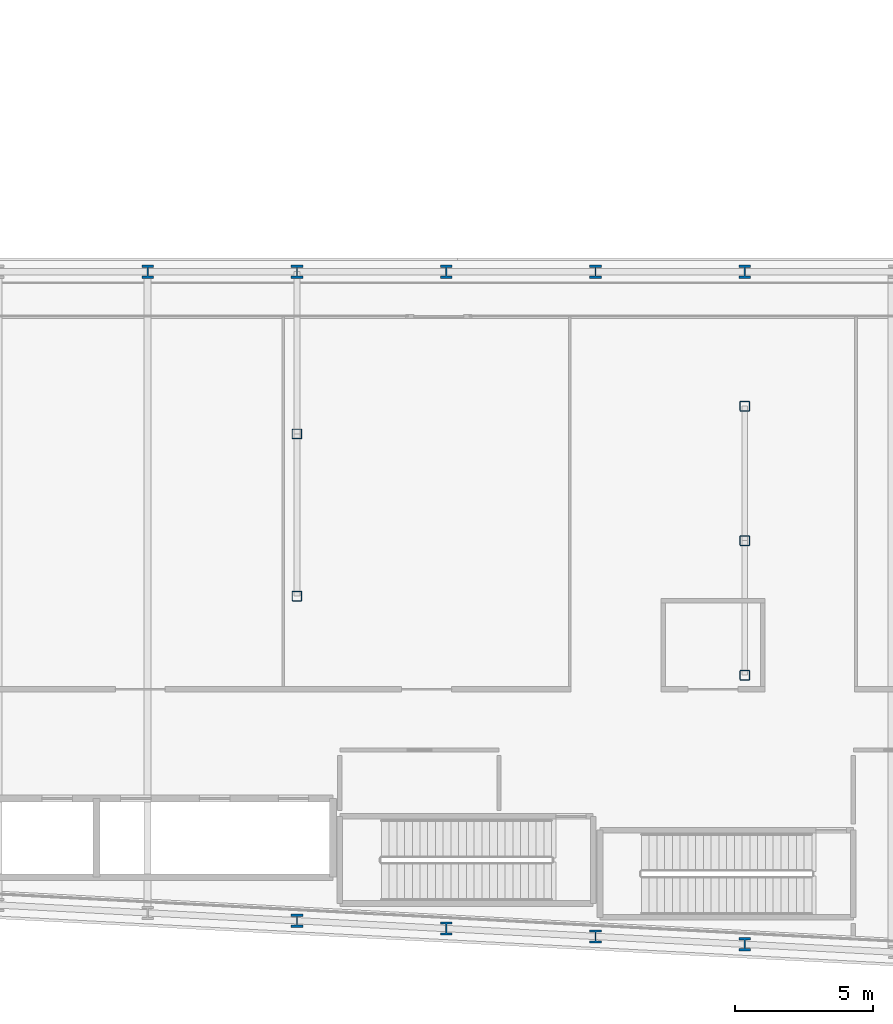
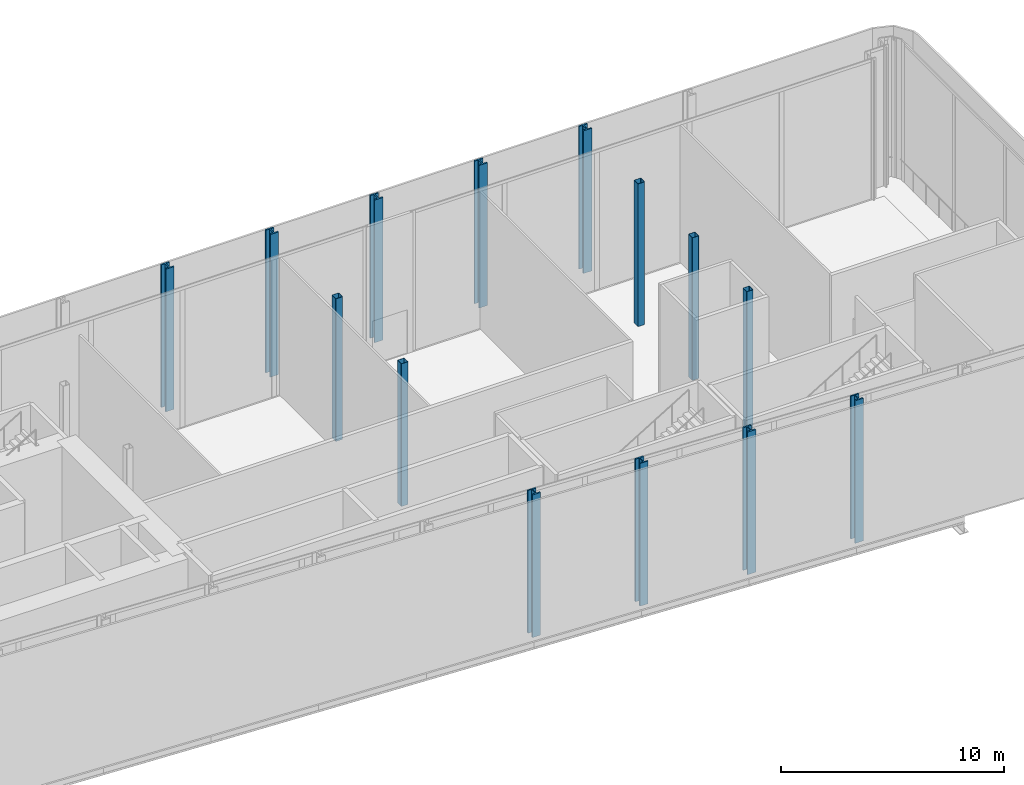
# One storey, part 2 of 36: 14 columns.
"""IFC4 building model written with IfcOpenShell, lengths in metres."""

from ifc_helpers import new_model, si_unit, direction, frame, origin, origin_2d, place, context, subcontext, project, spatial, hollow_rectangle, i_section, extrude, material, material_profile, profile_set, type_object, element, save


model = new_model("IFC4")

# Units and contexts
model_context = context("Model", 3, precision=1e-05, world=origin(), true_north=direction((0.0, 1.0)))
body_context = subcontext(model_context, "Body", "Model", "MODEL_VIEW")
ifc_project = project(units=[si_unit("LENGTHUNIT", "METRE"), si_unit("AREAUNIT", "SQUARE_METRE"), si_unit("VOLUMEUNIT", "CUBIC_METRE"), si_unit("PLANEANGLEUNIT", "RADIAN"), si_unit("MASSUNIT", "GRAM", prefix="KILO")], contexts=[model_context])

# Site, building, storey
site_placement = place(None, origin())
site = spatial("IfcSite", under=ifc_project, at=site_placement, CompositionType="ELEMENT")
building_placement = place(site_placement, origin())
building = spatial("IfcBuilding", under=site, at=building_placement, Name="Kheshtan School and Residences Tower", CompositionType="ELEMENT")
storey_placement = place(building_placement, frame((0.0, 0.0, 81.199951171875)))
storey = spatial("IfcBuildingStorey", under=building, at=storey_placement, Name="L19", CompositionType="ELEMENT", Elevation=81.199951171875)

# Columns
ifc_material_1 = material(Name="Steel ASTM A992 Grade 50", Category="steel")
ifc_material_profile_1 = material_profile(ifc_material_1, i_section(OverallWidth=0.424072265625, OverallDepth=0.47412109375, WebThickness=0.047607421875, FlangeThickness=0.0771484375, FilletRadius=0.01416015625, at=origin_2d()), Name="W360x634")
ifc_profile_set_1 = profile_set([ifc_material_profile_1], Name="Steel ASTM A992 Grade 50")
column_type_1 = type_object("IfcColumnType", Name="Column C1 W360x634 ASTM A992 Grade 50", PredefinedType="COLUMN", material=ifc_profile_set_1)
for number, where, z_axis, x_axis, name in (
    (1, (85.39990234375, 21.27392578125, 0.0), (0.0, 0.0, 1.0), (1.0, 0.0, 0.0), "Column C008"),
    (2, (80.0, 21.55810546875, 0.0), (0.0, 0.0, 1.0), (1.0, 0.0, 0.0), "Column C012"),
    (3, (74.60009765625, 21.843017578125, 0.0), (0.0, 0.0, 1.0), (1.0, 0.0, 0.0), "Column C013"),
    (4, (69.199951171875, 22.126953125, 0.0), (0.0, 0.0, 1.0), (1.0, 0.0, 0.0), "Column C014"),
    (5, (63.800048828125, 45.60009765625, 0.0), (0.0, 0.0, 1.0), (1.0, 0.0, 0.0), "Column C063"),
    (6, (69.199951171875, 45.60009765625, 0.0), (0.0, 0.0, 1.0), (1.0, 0.0, 0.0), "Column C064"),
    (7, (74.60009765625, 45.60009765625, 0.0), (0.0, 0.0, 1.0), (1.0, 0.0, 0.0), "Column C065"),
    (8, (80.0, 45.60009765625, 0.0), (0.0, 0.0, 1.0), (1.0, 0.0, 0.0), "Column C066"),
    (9, (85.39990234375, 45.60009765625, 0.0), (0.0, 0.0, 1.0), (1.0, 0.0, 0.0), "Column C067"),
):
    element("IfcColumn", number, at=place(storey_placement, frame(where, z_axis=z_axis, x_axis=x_axis)), inside=storey, type_object=column_type_1, Name=name, PredefinedType="COLUMN", context=body_context, shape_type="SweptSolid", body=[
        extrude(i_section(OverallWidth=0.424072265625, OverallDepth=0.47412109375, WebThickness=0.047607421875, FlangeThickness=0.0771484375, FilletRadius=0.01416015625, at=origin_2d()), origin(), (0.0, 0.0, 1.0), 7.800048828125),
    ])
ifc_material_2 = material(Name="Steel ASTM A500 Grade C", Category="steel")
ifc_material_profile_2 = material_profile(ifc_material_2, hollow_rectangle(XDim=0.35595703125, YDim=0.35595703125, WallThickness=0.015869140625, InnerFilletRadius=0.015869140625, OuterFilletRadius=0.03173828125, at=origin_2d()), Name="HSS 356x356x15.9")
ifc_profile_set_2 = profile_set([ifc_material_profile_2], Name="Steel ASTM A500 Grade C")
column_type_2 = type_object("IfcColumnType", Name="Column IC1 HSS 356x356x15.9 ASTM A500 Grade C", PredefinedType="COLUMN", material=ifc_profile_set_2)
for number, where, z_axis, x_axis, name in (
    (10, (85.39990234375, 31.0048828125, 0.0), (0.0, 0.0, 1.0), (1.0, 0.0, 0.0), "Column C049"),
    (11, (69.199951171875, 33.863037109375, 0.0), (0.0, 0.0, 1.0), (1.0, 0.0, 0.0), "Column C050"),
    (12, (85.39990234375, 35.8701171875, 0.0), (0.0, 0.0, 1.0), (1.0, 0.0, 0.0), "Column C053"),
    (13, (69.199951171875, 39.73193359375, 0.0), (0.0, 0.0, 1.0), (1.0, 0.0, 0.0), "Column C054"),
    (14, (85.39990234375, 40.735107421875, 0.0), (0.0, 0.0, 1.0), (1.0, 0.0, 0.0), "Column C057"),
):
    element("IfcColumn", number, at=place(storey_placement, frame(where, z_axis=z_axis, x_axis=x_axis)), inside=storey, type_object=column_type_2, Name=name, PredefinedType="COLUMN", context=body_context, shape_type="SweptSolid", body=[
        extrude(hollow_rectangle(XDim=0.35595703125, YDim=0.35595703125, WallThickness=0.015869140625, InnerFilletRadius=0.015869140625, OuterFilletRadius=0.03173828125, at=origin_2d()), origin(), (0.0, 0.0, 1.0), 7.800048828125),
    ])

save(model, "model.ifc")
